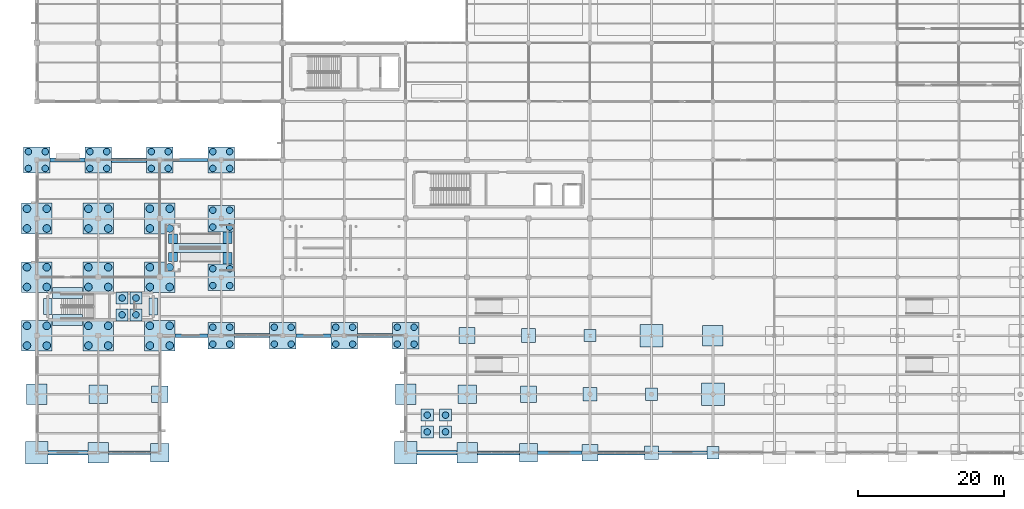
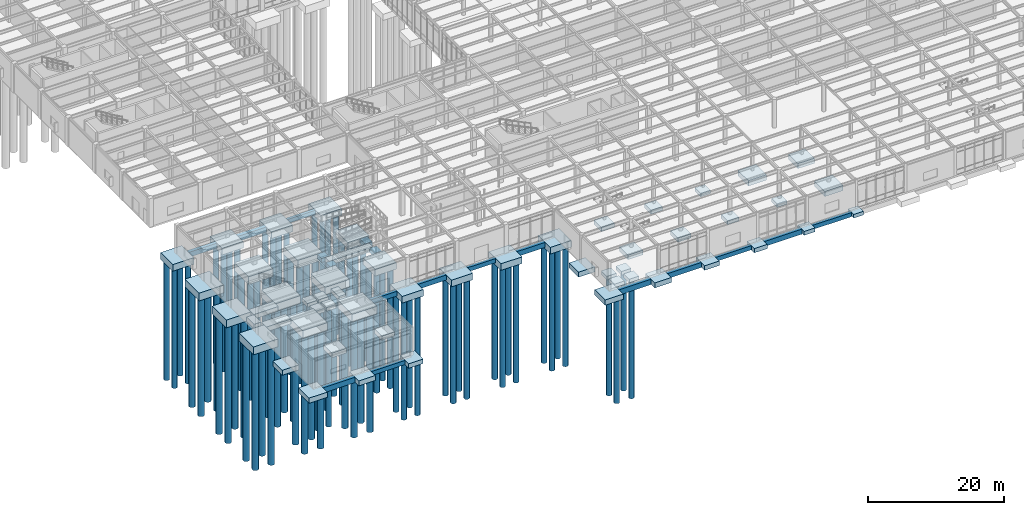
# One storey, part 1 of 138: 84 piles, 73 footings.
"""IFC4 building model written with IfcOpenShell, lengths in metres."""

from ifc_helpers import new_model, si_unit, direction, frame, origin, origin_2d, place, context, subcontext, project, spatial, rectangle, circle, extrude, material, material_profile, profile_set, type_object, element, save


model = new_model("IFC4")

# Units and contexts
model_context = context("Model", 3, precision=1e-05, world=origin(), true_north=direction((0.0, 1.0)))
body_context = subcontext(model_context, "Body", "Model", "MODEL_VIEW")
ifc_project = project(units=[si_unit("LENGTHUNIT", "METRE"), si_unit("AREAUNIT", "SQUARE_METRE"), si_unit("VOLUMEUNIT", "CUBIC_METRE"), si_unit("PLANEANGLEUNIT", "RADIAN"), si_unit("MASSUNIT", "GRAM", prefix="KILO")], contexts=[model_context])

# Site, building, storey
site_placement = place(None, origin())
site = spatial("IfcSite", under=ifc_project, at=site_placement, CompositionType="ELEMENT")
building_placement = place(site_placement, origin())
building = spatial("IfcBuilding", under=site, at=building_placement, Name="Kranzveld Transit Interchange", CompositionType="ELEMENT")
storey_placement = place(building_placement, origin())
storey = spatial("IfcBuildingStorey", under=building, at=storey_placement, Name="L00", CompositionType="ELEMENT", Elevation=0.0)

# Footings
ifc_material_1 = material(Name="Concrete C40/50", Category="concrete")
ifc_material_profile_1 = material_profile(ifc_material_1, rectangle(XDim=0.449951171875, YDim=0.75, at=origin_2d()), Name="RC 450x750")
ifc_profile_set_1 = profile_set([ifc_material_profile_1], Name="Concrete C40/50")
footing_type_1 = type_object("IfcFootingType", Name="Footing Beam 450x750 C40/50", PredefinedType="FOOTING_BEAM", material=ifc_profile_set_1)
footing_1_placement = place(storey_placement, frame((9.800048828125, 0.0, -0.794921875), z_axis=(1.0, 0.0, 0.0), x_axis=(0.0, 1.0, 0.0)))
element("IfcFooting", 1, at=footing_1_placement, inside=storey, type_object=footing_type_1, Name="Ground Tie Beam 02-03/A", PredefinedType="FOOTING_BEAM", context=body_context, shape_type="SweptSolid", body=[
    extrude(rectangle(XDim=0.449951171875, YDim=0.75, at=origin_2d()), origin(), (0.0, 0.0, 1.0), 5.75),
])
footing_2_placement = place(storey_placement, frame((18.60009765625, 40.0, -0.794921875), z_axis=(1.0, 0.0, 0.0), x_axis=(0.0, 1.0, 0.0)))
element("IfcFooting", 2, at=footing_2_placement, inside=storey, type_object=footing_type_1, Name="Ground Tie Beam 03-04/F", PredefinedType="FOOTING_BEAM", context=body_context, shape_type="SweptSolid", body=[
    extrude(rectangle(XDim=0.449951171875, YDim=0.75, at=origin_2d()), origin(), (0.0, 0.0, 1.0), 4.7998046875),
])
footing_3_placement = place(storey_placement, frame((35.39990234375, 16.0, -0.794921875), z_axis=(1.0, 0.0, 0.0), x_axis=(0.0, 1.0, 0.0)))
element("IfcFooting", 3, at=footing_3_placement, inside=storey, type_object=footing_type_1, Name="Ground Tie Beam 05-06/C", PredefinedType="FOOTING_BEAM", context=body_context, shape_type="SweptSolid", body=[
    extrude(rectangle(XDim=0.449951171875, YDim=0.75, at=origin_2d()), origin(), (0.0, 0.0, 1.0), 4.800048828125),
])
footing_4_placement = place(storey_placement, frame((68.449951171875, 0.0, -0.794921875), z_axis=(1.0, 0.0, 0.0), x_axis=(0.0, 1.0, 0.0)))
element("IfcFooting", 4, at=footing_4_placement, inside=storey, type_object=footing_type_1, Name="Ground Tie Beam 09-10/A", PredefinedType="FOOTING_BEAM", context=body_context, shape_type="SweptSolid", body=[
    extrude(rectangle(XDim=0.449951171875, YDim=0.75, at=origin_2d()), origin(), (0.0, 0.0, 1.0), 6.050048828125),
])
footing_5_placement = place(storey_placement, frame((84.949951171875, 0.0, -0.794921875), z_axis=(1.0, 0.0, 0.0), x_axis=(0.0, 1.0, 0.0)))
element("IfcFooting", 5, at=footing_5_placement, inside=storey, type_object=footing_type_1, Name="Ground Tie Beam 11-12/A", PredefinedType="FOOTING_BEAM", context=body_context, shape_type="SweptSolid", body=[
    extrude(rectangle(XDim=0.449951171875, YDim=0.75, at=origin_2d()), origin(), (0.0, 0.0, 1.0), 6.625),
])
ifc_material_2 = material(Name="Concrete C40/50", Category="concrete")
ifc_material_profile_2 = material_profile(ifc_material_2, rectangle(XDim=0.5, YDim=0.85009765625, at=origin_2d()), Name="RC 500x850")
ifc_profile_set_2 = profile_set([ifc_material_profile_2], Name="Concrete C40/50")
footing_type_2 = type_object("IfcFootingType", Name="Footing Beam 500x850 C40/50", PredefinedType="FOOTING_BEAM", material=ifc_profile_set_2)
footing_6_placement = place(storey_placement, frame((18.89990234375, 16.0, -0.844970703125), z_axis=(1.0, 0.0, 0.0), x_axis=(0.0, 1.0, 0.0)))
element("IfcFooting", 6, at=footing_6_placement, inside=storey, type_object=footing_type_2, Name="Ground Tie Beam 03-04/C", PredefinedType="FOOTING_BEAM", context=body_context, shape_type="SweptSolid", body=[
    extrude(rectangle(XDim=0.5, YDim=0.85009765625, at=origin_2d()), origin(), (0.0, 0.0, 1.0), 4.5),
])
ifc_material_3 = material(Name="Concrete C40/50", Category="concrete")
ifc_material_profile_3 = material_profile(ifc_material_3, rectangle(XDim=0.550048828125, YDim=0.89990234375, at=origin_2d()), Name="RC 550x900")
ifc_profile_set_3 = profile_set([ifc_material_profile_3], Name="Concrete C40/50")
footing_type_3 = type_object("IfcFootingType", Name="Footing Beam 550x900 C40/50", PredefinedType="FOOTING_BEAM", material=ifc_profile_set_3)
for number, where, z_axis, x_axis, name in (
    (7, (1.800048828125, 40.0, -0.8701171875), (1.0, 0.0, 0.0), (0.0, 1.0, 0.0), "Ground Tie Beam 01-02/F"),
    (8, (27.0, 16.0, -0.8701171875), (1.0, 0.0, 0.0), (0.0, 1.0, 0.0), "Ground Tie Beam 04-05/C"),
    (9, (43.800048828125, 16.0, -0.8701171875), (1.0, 0.0, 0.0), (0.0, 1.0, 0.0), "Ground Tie Beam 06-07/C"),
):
    element("IfcFooting", number, at=place(storey_placement, frame(where, z_axis=z_axis, x_axis=x_axis)), inside=storey, type_object=footing_type_3, Name=name, PredefinedType="FOOTING_BEAM", context=body_context, shape_type="SweptSolid", body=[
        extrude(rectangle(XDim=0.550048828125, YDim=0.89990234375, at=origin_2d()), origin(), (0.0, 0.0, 1.0), 4.800048828125),
    ])
footing_7_placement = place(storey_placement, frame((60.199951171875, 0.0, -0.8701171875), z_axis=(1.0, 0.0, 0.0), x_axis=(0.0, 1.0, 0.0)))
element("IfcFooting", 10, at=footing_7_placement, inside=storey, type_object=footing_type_3, Name="Ground Tie Beam 08-09/A", PredefinedType="FOOTING_BEAM", context=body_context, shape_type="SweptSolid", body=[
    extrude(rectangle(XDim=0.550048828125, YDim=0.89990234375, at=origin_2d()), origin(), (0.0, 0.0, 1.0), 5.75),
])
footing_8_placement = place(storey_placement, frame((76.699951171875, 0.0, -0.8701171875), z_axis=(1.0, 0.0, 0.0), x_axis=(0.0, 1.0, 0.0)))
element("IfcFooting", 11, at=footing_8_placement, inside=storey, type_object=footing_type_3, Name="Ground Tie Beam 10-11/A", PredefinedType="FOOTING_BEAM", context=body_context, shape_type="SweptSolid", body=[
    extrude(rectangle(XDim=0.550048828125, YDim=0.89990234375, at=origin_2d()), origin(), (0.0, 0.0, 1.0), 6.35009765625),
])
ifc_material_4 = material(Name="Concrete C40/50", Category="concrete")
ifc_material_profile_4 = material_profile(ifc_material_4, rectangle(XDim=0.60009765625, YDim=0.949951171875, at=origin_2d()), Name="RC 600x950")
ifc_profile_set_4 = profile_set([ifc_material_profile_4], Name="Concrete C40/50")
footing_type_4 = type_object("IfcFootingType", Name="Footing Beam 600x950 C40/50", PredefinedType="FOOTING_BEAM", material=ifc_profile_set_4)
footing_9_placement = place(storey_placement, frame((1.550048828125, 0.0, -0.89501953125), z_axis=(1.0, 0.0, 0.0), x_axis=(0.0, 1.0, 0.0)))
element("IfcFooting", 12, at=footing_9_placement, inside=storey, type_object=footing_type_4, Name="Ground Tie Beam 01-02/A", PredefinedType="FOOTING_BEAM", context=body_context, shape_type="SweptSolid", body=[
    extrude(rectangle(XDim=0.60009765625, YDim=0.949951171875, at=origin_2d()), origin(), (0.0, 0.0, 1.0), 5.449951171875),
])
footing_10_placement = place(storey_placement, frame((10.199951171875, 40.0, -0.89501953125), z_axis=(1.0, 0.0, 0.0), x_axis=(0.0, 1.0, 0.0)))
element("IfcFooting", 13, at=footing_10_placement, inside=storey, type_object=footing_type_4, Name="Ground Tie Beam 02-03/F", PredefinedType="FOOTING_BEAM", context=body_context, shape_type="SweptSolid", body=[
    extrude(rectangle(XDim=0.60009765625, YDim=0.949951171875, at=origin_2d()), origin(), (0.0, 0.0, 1.0), 4.800048828125),
])
footing_11_placement = place(storey_placement, frame((51.949951171875, 0.0, -0.89501953125), z_axis=(1.0, 0.0, 0.0), x_axis=(0.0, 1.0, 0.0)))
element("IfcFooting", 14, at=footing_11_placement, inside=storey, type_object=footing_type_4, Name="Ground Tie Beam 07-08/A", PredefinedType="FOOTING_BEAM", context=body_context, shape_type="SweptSolid", body=[
    extrude(rectangle(XDim=0.60009765625, YDim=0.949951171875, at=origin_2d()), origin(), (0.0, 0.0, 1.0), 5.449951171875),
])
ifc_material_5 = material(Name="Concrete C40/50", Category="concrete")
footing_type_5 = type_object("IfcFootingType", Name="Pad Footing 1650x1650x650 C40/50", PredefinedType="PAD_FOOTING", material=ifc_material_5)
for number, where, z_axis, x_axis, name in (
    (15, (11.64990234375, 18.85009765625, -1.669921875), (0.0, 0.0, 1.0), (1.0, 0.0, 0.0), "PIT-C7 Corner Pad Footing 1"),
    (16, (13.550048828125, 18.85009765625, -1.669921875), (0.0, 0.0, 1.0), (1.0, 0.0, 0.0), "PIT-C7 Corner Pad Footing 2"),
    (17, (11.64990234375, 21.14990234375, -1.669921875), (0.0, 0.0, 1.0), (1.0, 0.0, 0.0), "PIT-C7 Corner Pad Footing 3"),
    (18, (13.550048828125, 21.14990234375, -1.669921875), (0.0, 0.0, 1.0), (1.0, 0.0, 0.0), "PIT-C7 Corner Pad Footing 4"),
    (19, (53.35009765625, 2.85009765625, -1.669921875), (0.0, 0.0, 1.0), (1.0, 0.0, 0.0), "PIT-S1 Corner Pad Footing 1"),
    (20, (55.85009765625, 2.85009765625, -1.669921875), (0.0, 0.0, 1.0), (1.0, 0.0, 0.0), "PIT-S1 Corner Pad Footing 2"),
    (21, (53.35009765625, 5.14990234375, -1.669921875), (0.0, 0.0, 1.0), (1.0, 0.0, 0.0), "PIT-S1 Corner Pad Footing 3"),
    (22, (55.85009765625, 5.14990234375, -1.669921875), (0.0, 0.0, 1.0), (1.0, 0.0, 0.0), "PIT-S1 Corner Pad Footing 4"),
    (23, (75.60009765625, 16.0, -1.070068359375), (0.0, 0.0, 1.0), (1.0, 0.0, 0.0), "Pad Footing 10/C"),
    (24, (84.0, 8.0, -1.070068359375), (0.0, 0.0, 1.0), (1.0, 0.0, 0.0), "Pad Footing 11/B"),
    (25, (92.39990234375, 0.0, -1.070068359375), (0.0, 0.0, 1.0), (1.0, 0.0, 0.0), "Pad Footing 12/A"),
):
    element("IfcFooting", number, at=place(storey_placement, frame(where, z_axis=z_axis, x_axis=x_axis)), inside=storey, type_object=footing_type_5, Name=name, PredefinedType="PAD_FOOTING", context=body_context, shape_type="SweptSolid", body=[
        extrude(rectangle(XDim=1.64990234375, YDim=1.64990234375, at=origin_2d()), origin(), (0.0, 0.0, 1.0), 0.64990234375),
    ])
ifc_material_6 = material(Name="Concrete C40/50", Category="concrete")
footing_type_6 = type_object("IfcFootingType", Name="Pad Footing 1900x1900x700 C40/50", PredefinedType="PAD_FOOTING", material=ifc_material_6)
for number, where, z_axis, x_axis, name in (
    (26, (67.199951171875, 16.0, -1.1201171875), (0.0, 0.0, 1.0), (1.0, 0.0, 0.0), "Pad Footing 09/C"),
    (27, (75.60009765625, 8.0, -1.1201171875), (0.0, 0.0, 1.0), (1.0, 0.0, 0.0), "Pad Footing 10/B"),
    (28, (84.0, 0.0, -1.1201171875), (0.0, 0.0, 1.0), (1.0, 0.0, 0.0), "Pad Footing 11/A"),
):
    element("IfcFooting", number, at=place(storey_placement, frame(where, z_axis=z_axis, x_axis=x_axis)), inside=storey, type_object=footing_type_6, Name=name, PredefinedType="PAD_FOOTING", context=body_context, shape_type="SweptSolid", body=[
        extrude(rectangle(XDim=1.89990234375, YDim=1.89990234375, at=origin_2d()), origin(), (0.0, 0.0, 1.0), 0.699951171875),
    ])
ifc_material_7 = material(Name="Concrete C40/50", Category="concrete")
footing_type_7 = type_object("IfcFootingType", Name="Pad Footing 2200x2200x760 C40/50", PredefinedType="PAD_FOOTING", material=ifc_material_7)
for number, where, z_axis, x_axis, name in (
    (29, (16.800048828125, 8.0, -1.18017578125), (0.0, 0.0, 1.0), (1.0, 0.0, 0.0), "Pad Footing 03/B"),
    (30, (58.800048828125, 16.0, -1.18017578125), (0.0, 0.0, 1.0), (1.0, 0.0, 0.0), "Pad Footing 08/C"),
    (31, (67.199951171875, 8.0, -1.18017578125), (0.0, 0.0, 1.0), (1.0, 0.0, 0.0), "Pad Footing 09/B"),
    (32, (75.60009765625, 0.0, -1.18017578125), (0.0, 0.0, 1.0), (1.0, 0.0, 0.0), "Pad Footing 10/A"),
):
    element("IfcFooting", number, at=place(storey_placement, frame(where, z_axis=z_axis, x_axis=x_axis)), inside=storey, type_object=footing_type_7, Name=name, PredefinedType="PAD_FOOTING", context=body_context, shape_type="SweptSolid", body=[
        extrude(rectangle(XDim=2.199951171875, YDim=2.199951171875, at=origin_2d()), origin(), (0.0, 0.0, 1.0), 0.760009765625),
    ])
ifc_material_8 = material(Name="Concrete C40/50", Category="concrete")
footing_type_8 = type_object("IfcFootingType", Name="Pad Footing 2500x2500x820 C40/50", PredefinedType="PAD_FOOTING", material=ifc_material_8)
for number, where, z_axis, x_axis, name in (
    (33, (8.39990234375, 8.0, -1.240234375), (0.0, 0.0, 1.0), (1.0, 0.0, 0.0), "Pad Footing 02/B"),
    (34, (16.800048828125, 0.0, -1.240234375), (0.0, 0.0, 1.0), (1.0, 0.0, 0.0), "Pad Footing 03/A"),
    (35, (58.800048828125, 8.0, -1.240234375), (0.0, 0.0, 1.0), (1.0, 0.0, 0.0), "Pad Footing 08/B"),
    (36, (67.199951171875, 0.0, -1.240234375), (0.0, 0.0, 1.0), (1.0, 0.0, 0.0), "Pad Footing 09/A"),
):
    element("IfcFooting", number, at=place(storey_placement, frame(where, z_axis=z_axis, x_axis=x_axis)), inside=storey, type_object=footing_type_8, Name=name, PredefinedType="PAD_FOOTING", context=body_context, shape_type="SweptSolid", body=[
        extrude(rectangle(XDim=2.5, YDim=2.5, at=origin_2d()), origin(), (0.0, 0.0, 1.0), 0.820068359375),
    ])
ifc_material_9 = material(Name="Concrete C40/50", Category="concrete")
footing_type_9 = type_object("IfcFootingType", Name="Pad Footing 2800x2800x900 C40/50", PredefinedType="PAD_FOOTING", material=ifc_material_9)
for number, where, z_axis, x_axis, name in (
    (37, (0.0, 8.0, -1.320068359375), (0.0, 0.0, 1.0), (1.0, 0.0, 0.0), "Pad Footing 01/B"),
    (38, (8.39990234375, 0.0, -1.320068359375), (0.0, 0.0, 1.0), (1.0, 0.0, 0.0), "Pad Footing 02/A"),
    (39, (50.39990234375, 8.0, -1.320068359375), (0.0, 0.0, 1.0), (1.0, 0.0, 0.0), "Pad Footing 07/B"),
    (40, (58.800048828125, 0.0, -1.320068359375), (0.0, 0.0, 1.0), (1.0, 0.0, 0.0), "Pad Footing 08/A"),
    (41, (92.39990234375, 16.0, -1.320068359375), (0.0, 0.0, 1.0), (1.0, 0.0, 0.0), "Pad Footing 12/C"),
):
    element("IfcFooting", number, at=place(storey_placement, frame(where, z_axis=z_axis, x_axis=x_axis)), inside=storey, type_object=footing_type_9, Name=name, PredefinedType="PAD_FOOTING", context=body_context, shape_type="SweptSolid", body=[
        extrude(rectangle(XDim=2.800048828125, YDim=2.800048828125, at=origin_2d()), origin(), (0.0, 0.0, 1.0), 0.89990234375),
    ])
ifc_material_10 = material(Name="Concrete C40/50", Category="concrete")
footing_type_10 = type_object("IfcFootingType", Name="Pad Footing 3100x3100x950 C40/50", PredefinedType="PAD_FOOTING", material=ifc_material_10)
for number, where, z_axis, x_axis, name in (
    (42, (0.0, 0.0, -1.3701171875), (0.0, 0.0, 1.0), (1.0, 0.0, 0.0), "Pad Footing 01/A"),
    (43, (50.39990234375, 0.0, -1.3701171875), (0.0, 0.0, 1.0), (1.0, 0.0, 0.0), "Pad Footing 07/A"),
    (44, (84.0, 16.0, -1.3701171875), (0.0, 0.0, 1.0), (1.0, 0.0, 0.0), "Pad Footing 11/C"),
    (45, (92.39990234375, 8.0, -1.3701171875), (0.0, 0.0, 1.0), (1.0, 0.0, 0.0), "Pad Footing 12/B"),
):
    element("IfcFooting", number, at=place(storey_placement, frame(where, z_axis=z_axis, x_axis=x_axis)), inside=storey, type_object=footing_type_10, Name=name, PredefinedType="PAD_FOOTING", context=body_context, shape_type="SweptSolid", body=[
        extrude(rectangle(XDim=3.10009765625, YDim=3.10009765625, at=origin_2d()), origin(), (0.0, 0.0, 1.0), 0.949951171875),
    ])

# Piles
ifc_material_11 = material(Name="Concrete C40/50", Category="concrete")
ifc_material_profile_5 = material_profile(ifc_material_11, circle(Radius=0.52490234375, at=origin_2d()), Name="BORED PILE 1050")
ifc_profile_set_5 = profile_set([ifc_material_profile_5], Name="Concrete C40/50")
pile_type_1 = type_object("IfcPileType", Name="Pile Bored 1050 C40/50", PredefinedType="BORED", material=ifc_profile_set_5)
for number, where, z_axis, x_axis, name in (
    (46, (-1.35009765625, 14.64990234375, -1.719970703125), (0.0, 0.0, -1.0), (1.0, 0.0, 0.0), "Bored Pile 01/C-P1"),
    (47, (1.35009765625, 14.64990234375, -1.719970703125), (0.0, 0.0, -1.0), (1.0, 0.0, 0.0), "Bored Pile 01/C-P2"),
    (48, (-1.35009765625, 17.35009765625, -1.719970703125), (0.0, 0.0, -1.0), (1.0, 0.0, 0.0), "Bored Pile 01/C-P3"),
    (49, (1.35009765625, 17.35009765625, -1.719970703125), (0.0, 0.0, -1.0), (1.0, 0.0, 0.0), "Bored Pile 01/C-P4"),
    (50, (-1.35009765625, 22.64990234375, -1.719970703125), (0.0, 0.0, -1.0), (1.0, 0.0, 0.0), "Bored Pile 01/D-P1"),
    (51, (1.35009765625, 22.64990234375, -1.719970703125), (0.0, 0.0, -1.0), (1.0, 0.0, 0.0), "Bored Pile 01/D-P2"),
    (52, (-1.35009765625, 25.35009765625, -1.719970703125), (0.0, 0.0, -1.0), (1.0, 0.0, 0.0), "Bored Pile 01/D-P3"),
    (53, (1.35009765625, 25.35009765625, -1.719970703125), (0.0, 0.0, -1.0), (1.0, 0.0, 0.0), "Bored Pile 01/D-P4"),
    (54, (-1.35009765625, 30.64990234375, -1.719970703125), (0.0, 0.0, -1.0), (1.0, 0.0, 0.0), "Bored Pile 01/E-P1"),
    (55, (1.35009765625, 30.64990234375, -1.719970703125), (0.0, 0.0, -1.0), (1.0, 0.0, 0.0), "Bored Pile 01/E-P2"),
    (56, (-1.35009765625, 33.35009765625, -1.719970703125), (0.0, 0.0, -1.0), (1.0, 0.0, 0.0), "Bored Pile 01/E-P3"),
    (57, (1.35009765625, 33.35009765625, -1.719970703125), (0.0, 0.0, -1.0), (1.0, 0.0, 0.0), "Bored Pile 01/E-P4"),
    (58, (7.050048828125, 14.64990234375, -1.719970703125), (0.0, 0.0, -1.0), (1.0, 0.0, 0.0), "Bored Pile 02/C-P1"),
    (59, (9.75, 14.64990234375, -1.719970703125), (0.0, 0.0, -1.0), (1.0, 0.0, 0.0), "Bored Pile 02/C-P2"),
    (60, (7.050048828125, 17.35009765625, -1.719970703125), (0.0, 0.0, -1.0), (1.0, 0.0, 0.0), "Bored Pile 02/C-P3"),
    (61, (9.75, 17.35009765625, -1.719970703125), (0.0, 0.0, -1.0), (1.0, 0.0, 0.0), "Bored Pile 02/C-P4"),
    (62, (7.050048828125, 22.64990234375, -1.719970703125), (0.0, 0.0, -1.0), (1.0, 0.0, 0.0), "Bored Pile 02/D-P1"),
    (63, (9.75, 22.64990234375, -1.719970703125), (0.0, 0.0, -1.0), (1.0, 0.0, 0.0), "Bored Pile 02/D-P2"),
    (64, (7.050048828125, 25.35009765625, -1.719970703125), (0.0, 0.0, -1.0), (1.0, 0.0, 0.0), "Bored Pile 02/D-P3"),
    (65, (9.75, 25.35009765625, -1.719970703125), (0.0, 0.0, -1.0), (1.0, 0.0, 0.0), "Bored Pile 02/D-P4"),
    (66, (7.050048828125, 30.64990234375, -1.719970703125), (0.0, 0.0, -1.0), (1.0, 0.0, 0.0), "Bored Pile 02/E-P1"),
    (67, (9.75, 30.64990234375, -1.719970703125), (0.0, 0.0, -1.0), (1.0, 0.0, 0.0), "Bored Pile 02/E-P2"),
    (68, (7.050048828125, 33.35009765625, -1.719970703125), (0.0, 0.0, -1.0), (1.0, 0.0, 0.0), "Bored Pile 02/E-P3"),
    (69, (9.75, 33.35009765625, -1.719970703125), (0.0, 0.0, -1.0), (1.0, 0.0, 0.0), "Bored Pile 02/E-P4"),
    (70, (15.449951171875, 14.64990234375, -1.719970703125), (0.0, 0.0, -1.0), (1.0, 0.0, 0.0), "Bored Pile 03/C-P1"),
    (71, (18.14990234375, 14.64990234375, -1.719970703125), (0.0, 0.0, -1.0), (1.0, 0.0, 0.0), "Bored Pile 03/C-P2"),
    (72, (15.449951171875, 17.35009765625, -1.719970703125), (0.0, 0.0, -1.0), (1.0, 0.0, 0.0), "Bored Pile 03/C-P3"),
    (73, (18.14990234375, 17.35009765625, -1.719970703125), (0.0, 0.0, -1.0), (1.0, 0.0, 0.0), "Bored Pile 03/C-P4"),
    (74, (15.449951171875, 22.64990234375, -1.719970703125), (0.0, 0.0, -1.0), (1.0, 0.0, 0.0), "Bored Pile 03/D-P1"),
    (75, (18.14990234375, 22.64990234375, -1.719970703125), (0.0, 0.0, -1.0), (1.0, 0.0, 0.0), "Bored Pile 03/D-P2"),
    (76, (15.449951171875, 25.35009765625, -1.719970703125), (0.0, 0.0, -1.0), (1.0, 0.0, 0.0), "Bored Pile 03/D-P3"),
    (77, (18.14990234375, 25.35009765625, -1.719970703125), (0.0, 0.0, -1.0), (1.0, 0.0, 0.0), "Bored Pile 03/D-P4"),
    (78, (15.449951171875, 30.64990234375, -1.719970703125), (0.0, 0.0, -1.0), (1.0, 0.0, 0.0), "Bored Pile 03/E-P1"),
    (79, (18.14990234375, 30.64990234375, -1.719970703125), (0.0, 0.0, -1.0), (1.0, 0.0, 0.0), "Bored Pile 03/E-P2"),
    (80, (15.449951171875, 33.35009765625, -1.719970703125), (0.0, 0.0, -1.0), (1.0, 0.0, 0.0), "Bored Pile 03/E-P3"),
    (81, (18.14990234375, 33.35009765625, -1.719970703125), (0.0, 0.0, -1.0), (1.0, 0.0, 0.0), "Bored Pile 03/E-P4"),
):
    element("IfcPile", number, at=place(storey_placement, frame(where, z_axis=z_axis, x_axis=x_axis)), inside=storey, type_object=pile_type_1, Name=name, PredefinedType="BORED", context=body_context, shape_type="SweptSolid", body=[
        extrude(circle(Radius=0.52490234375, at=origin_2d()), origin(), (0.0, 0.0, 1.0), 21.280029296875),
    ])
ifc_material_12 = material(Name="Concrete C40/50", Category="concrete")
ifc_material_profile_6 = material_profile(ifc_material_12, circle(Radius=0.449951171875, at=origin_2d()), Name="BORED PILE 900")
ifc_profile_set_6 = profile_set([ifc_material_profile_6], Name="Concrete C40/50")
pile_type_2 = type_object("IfcPileType", Name="Pile Bored 900 C40/50", PredefinedType="BORED", material=ifc_profile_set_6)
for number, where, z_axis, x_axis, name in (
    (82, (11.64990234375, 18.85009765625, -1.570068359375), (0.0, 0.0, -1.0), (1.0, 0.0, 0.0), "Bored Pile PIT-C7-P1"),
    (83, (13.550048828125, 18.85009765625, -1.570068359375), (0.0, 0.0, -1.0), (1.0, 0.0, 0.0), "Bored Pile PIT-C7-P2"),
    (84, (11.64990234375, 21.14990234375, -1.570068359375), (0.0, 0.0, -1.0), (1.0, 0.0, 0.0), "Bored Pile PIT-C7-P3"),
    (85, (13.550048828125, 21.14990234375, -1.570068359375), (0.0, 0.0, -1.0), (1.0, 0.0, 0.0), "Bored Pile PIT-C7-P4"),
    (86, (53.35009765625, 2.85009765625, -1.570068359375), (0.0, 0.0, -1.0), (1.0, 0.0, 0.0), "Bored Pile PIT-S1-P1"),
    (87, (55.85009765625, 2.85009765625, -1.570068359375), (0.0, 0.0, -1.0), (1.0, 0.0, 0.0), "Bored Pile PIT-S1-P2"),
    (88, (53.35009765625, 5.14990234375, -1.570068359375), (0.0, 0.0, -1.0), (1.0, 0.0, 0.0), "Bored Pile PIT-S1-P3"),
    (89, (55.85009765625, 5.14990234375, -1.570068359375), (0.0, 0.0, -1.0), (1.0, 0.0, 0.0), "Bored Pile PIT-S1-P4"),
):
    element("IfcPile", number, at=place(storey_placement, frame(where, z_axis=z_axis, x_axis=x_axis)), inside=storey, type_object=pile_type_2, Name=name, PredefinedType="BORED", context=body_context, shape_type="SweptSolid", body=[
        extrude(circle(Radius=0.449951171875, at=origin_2d()), origin(), (0.0, 0.0, 1.0), 21.429931640625),
    ])
for number, where, z_axis, x_axis, name in (
    (90, (-1.14990234375, 38.85009765625, -1.52001953125), (0.0, 0.0, -1.0), (1.0, 0.0, 0.0), "Bored Pile 01/F-P1"),
    (91, (1.14990234375, 38.85009765625, -1.52001953125), (0.0, 0.0, -1.0), (1.0, 0.0, 0.0), "Bored Pile 01/F-P2"),
    (92, (-1.14990234375, 41.14990234375, -1.52001953125), (0.0, 0.0, -1.0), (1.0, 0.0, 0.0), "Bored Pile 01/F-P3"),
    (93, (1.14990234375, 41.14990234375, -1.52001953125), (0.0, 0.0, -1.0), (1.0, 0.0, 0.0), "Bored Pile 01/F-P4"),
    (94, (7.25, 38.85009765625, -1.52001953125), (0.0, 0.0, -1.0), (1.0, 0.0, 0.0), "Bored Pile 02/F-P1"),
    (95, (9.550048828125, 38.85009765625, -1.52001953125), (0.0, 0.0, -1.0), (1.0, 0.0, 0.0), "Bored Pile 02/F-P2"),
    (96, (7.25, 41.14990234375, -1.52001953125), (0.0, 0.0, -1.0), (1.0, 0.0, 0.0), "Bored Pile 02/F-P3"),
    (97, (9.550048828125, 41.14990234375, -1.52001953125), (0.0, 0.0, -1.0), (1.0, 0.0, 0.0), "Bored Pile 02/F-P4"),
    (98, (15.64990234375, 38.85009765625, -1.52001953125), (0.0, 0.0, -1.0), (1.0, 0.0, 0.0), "Bored Pile 03/F-P1"),
    (99, (17.949951171875, 38.85009765625, -1.52001953125), (0.0, 0.0, -1.0), (1.0, 0.0, 0.0), "Bored Pile 03/F-P2"),
    (100, (15.64990234375, 41.14990234375, -1.52001953125), (0.0, 0.0, -1.0), (1.0, 0.0, 0.0), "Bored Pile 03/F-P3"),
    (101, (17.949951171875, 41.14990234375, -1.52001953125), (0.0, 0.0, -1.0), (1.0, 0.0, 0.0), "Bored Pile 03/F-P4"),
    (102, (24.050048828125, 14.85009765625, -1.52001953125), (0.0, 0.0, -1.0), (1.0, 0.0, 0.0), "Bored Pile 04/C-P1"),
    (103, (26.35009765625, 14.85009765625, -1.52001953125), (0.0, 0.0, -1.0), (1.0, 0.0, 0.0), "Bored Pile 04/C-P2"),
    (104, (24.050048828125, 17.14990234375, -1.52001953125), (0.0, 0.0, -1.0), (1.0, 0.0, 0.0), "Bored Pile 04/C-P3"),
    (105, (26.35009765625, 17.14990234375, -1.52001953125), (0.0, 0.0, -1.0), (1.0, 0.0, 0.0), "Bored Pile 04/C-P4"),
    (106, (24.050048828125, 22.85009765625, -1.52001953125), (0.0, 0.0, -1.0), (1.0, 0.0, 0.0), "Bored Pile 04/D-P1"),
    (107, (26.35009765625, 22.85009765625, -1.52001953125), (0.0, 0.0, -1.0), (1.0, 0.0, 0.0), "Bored Pile 04/D-P2"),
    (108, (24.050048828125, 25.14990234375, -1.52001953125), (0.0, 0.0, -1.0), (1.0, 0.0, 0.0), "Bored Pile 04/D-P3"),
    (109, (26.35009765625, 25.14990234375, -1.52001953125), (0.0, 0.0, -1.0), (1.0, 0.0, 0.0), "Bored Pile 04/D-P4"),
    (110, (24.050048828125, 30.85009765625, -1.52001953125), (0.0, 0.0, -1.0), (1.0, 0.0, 0.0), "Bored Pile 04/E-P1"),
    (111, (26.35009765625, 30.85009765625, -1.52001953125), (0.0, 0.0, -1.0), (1.0, 0.0, 0.0), "Bored Pile 04/E-P2"),
    (112, (24.050048828125, 33.14990234375, -1.52001953125), (0.0, 0.0, -1.0), (1.0, 0.0, 0.0), "Bored Pile 04/E-P3"),
    (113, (26.35009765625, 33.14990234375, -1.52001953125), (0.0, 0.0, -1.0), (1.0, 0.0, 0.0), "Bored Pile 04/E-P4"),
    (114, (24.050048828125, 38.85009765625, -1.52001953125), (0.0, 0.0, -1.0), (1.0, 0.0, 0.0), "Bored Pile 04/F-P1"),
    (115, (26.35009765625, 38.85009765625, -1.52001953125), (0.0, 0.0, -1.0), (1.0, 0.0, 0.0), "Bored Pile 04/F-P2"),
    (116, (24.050048828125, 41.14990234375, -1.52001953125), (0.0, 0.0, -1.0), (1.0, 0.0, 0.0), "Bored Pile 04/F-P3"),
    (117, (26.35009765625, 41.14990234375, -1.52001953125), (0.0, 0.0, -1.0), (1.0, 0.0, 0.0), "Bored Pile 04/F-P4"),
    (118, (32.449951171875, 14.85009765625, -1.52001953125), (0.0, 0.0, -1.0), (1.0, 0.0, 0.0), "Bored Pile 05/C-P1"),
    (119, (34.75, 14.85009765625, -1.52001953125), (0.0, 0.0, -1.0), (1.0, 0.0, 0.0), "Bored Pile 05/C-P2"),
    (120, (32.449951171875, 17.14990234375, -1.52001953125), (0.0, 0.0, -1.0), (1.0, 0.0, 0.0), "Bored Pile 05/C-P3"),
    (121, (34.75, 17.14990234375, -1.52001953125), (0.0, 0.0, -1.0), (1.0, 0.0, 0.0), "Bored Pile 05/C-P4"),
    (122, (40.85009765625, 14.85009765625, -1.52001953125), (0.0, 0.0, -1.0), (1.0, 0.0, 0.0), "Bored Pile 06/C-P1"),
    (123, (43.14990234375, 14.85009765625, -1.52001953125), (0.0, 0.0, -1.0), (1.0, 0.0, 0.0), "Bored Pile 06/C-P2"),
    (124, (40.85009765625, 17.14990234375, -1.52001953125), (0.0, 0.0, -1.0), (1.0, 0.0, 0.0), "Bored Pile 06/C-P3"),
    (125, (43.14990234375, 17.14990234375, -1.52001953125), (0.0, 0.0, -1.0), (1.0, 0.0, 0.0), "Bored Pile 06/C-P4"),
    (126, (49.25, 14.85009765625, -1.52001953125), (0.0, 0.0, -1.0), (1.0, 0.0, 0.0), "Bored Pile 07/C-P1"),
    (127, (51.550048828125, 14.85009765625, -1.52001953125), (0.0, 0.0, -1.0), (1.0, 0.0, 0.0), "Bored Pile 07/C-P2"),
    (128, (49.25, 17.14990234375, -1.52001953125), (0.0, 0.0, -1.0), (1.0, 0.0, 0.0), "Bored Pile 07/C-P3"),
    (129, (51.550048828125, 17.14990234375, -1.52001953125), (0.0, 0.0, -1.0), (1.0, 0.0, 0.0), "Bored Pile 07/C-P4"),
):
    element("IfcPile", number, at=place(storey_placement, frame(where, z_axis=z_axis, x_axis=x_axis)), inside=storey, type_object=pile_type_2, Name=name, PredefinedType="BORED", context=body_context, shape_type="SweptSolid", body=[
        extrude(circle(Radius=0.449951171875, at=origin_2d()), origin(), (0.0, 0.0, 1.0), 21.47998046875),
    ])

# Footings
ifc_material_13 = material(Name="Concrete C40/50", Category="concrete")
footing_type_11 = type_object("IfcFootingType", Name="Pile Cap 3600x3600x1200 C40/50", PredefinedType="PILE_CAP", material=ifc_material_13)
for number, where, z_axis, x_axis, name in (
    (130, (0.0, 40.0, -1.6201171875), (0.0, 0.0, 1.0), (1.0, 0.0, 0.0), "Pile Cap 01/F"),
    (131, (8.39990234375, 40.0, -1.6201171875), (0.0, 0.0, 1.0), (1.0, 0.0, 0.0), "Pile Cap 02/F"),
    (132, (16.800048828125, 40.0, -1.6201171875), (0.0, 0.0, 1.0), (1.0, 0.0, 0.0), "Pile Cap 03/F"),
    (133, (25.199951171875, 16.0, -1.6201171875), (0.0, 0.0, 1.0), (1.0, 0.0, 0.0), "Pile Cap 04/C"),
    (134, (25.199951171875, 24.0, -1.6201171875), (0.0, 0.0, 1.0), (1.0, 0.0, 0.0), "Pile Cap 04/D"),
    (135, (25.199951171875, 32.0, -1.6201171875), (0.0, 0.0, 1.0), (1.0, 0.0, 0.0), "Pile Cap 04/E"),
    (136, (25.199951171875, 40.0, -1.6201171875), (0.0, 0.0, 1.0), (1.0, 0.0, 0.0), "Pile Cap 04/F"),
    (137, (33.60009765625, 16.0, -1.6201171875), (0.0, 0.0, 1.0), (1.0, 0.0, 0.0), "Pile Cap 05/C"),
    (138, (42.0, 16.0, -1.6201171875), (0.0, 0.0, 1.0), (1.0, 0.0, 0.0), "Pile Cap 06/C"),
    (139, (50.39990234375, 16.0, -1.6201171875), (0.0, 0.0, 1.0), (1.0, 0.0, 0.0), "Pile Cap 07/C"),
):
    element("IfcFooting", number, at=place(storey_placement, frame(where, z_axis=z_axis, x_axis=x_axis)), inside=storey, type_object=footing_type_11, Name=name, PredefinedType="PILE_CAP", context=body_context, shape_type="SweptSolid", body=[
        extrude(rectangle(XDim=3.60009765625, YDim=3.60009765625, at=origin_2d()), origin(), (0.0, 0.0, 1.0), 1.199951171875),
    ])
ifc_material_14 = material(Name="Concrete C40/50", Category="concrete")
footing_type_12 = type_object("IfcFootingType", Name="Pile Cap 4200x4200x1400 C40/50", PredefinedType="PILE_CAP", material=ifc_material_14)
for number, where, z_axis, x_axis, name in (
    (140, (0.0, 16.0, -1.820068359375), (0.0, 0.0, 1.0), (1.0, 0.0, 0.0), "Pile Cap 01/C"),
    (141, (0.0, 24.0, -1.820068359375), (0.0, 0.0, 1.0), (1.0, 0.0, 0.0), "Pile Cap 01/D"),
    (142, (0.0, 32.0, -1.820068359375), (0.0, 0.0, 1.0), (1.0, 0.0, 0.0), "Pile Cap 01/E"),
    (143, (8.39990234375, 16.0, -1.820068359375), (0.0, 0.0, 1.0), (1.0, 0.0, 0.0), "Pile Cap 02/C"),
    (144, (8.39990234375, 24.0, -1.820068359375), (0.0, 0.0, 1.0), (1.0, 0.0, 0.0), "Pile Cap 02/D"),
    (145, (8.39990234375, 32.0, -1.820068359375), (0.0, 0.0, 1.0), (1.0, 0.0, 0.0), "Pile Cap 02/E"),
    (146, (16.800048828125, 16.0, -1.820068359375), (0.0, 0.0, 1.0), (1.0, 0.0, 0.0), "Pile Cap 03/C"),
    (147, (16.800048828125, 24.0, -1.820068359375), (0.0, 0.0, 1.0), (1.0, 0.0, 0.0), "Pile Cap 03/D"),
    (148, (16.800048828125, 32.0, -1.820068359375), (0.0, 0.0, 1.0), (1.0, 0.0, 0.0), "Pile Cap 03/E"),
):
    element("IfcFooting", number, at=place(storey_placement, frame(where, z_axis=z_axis, x_axis=x_axis)), inside=storey, type_object=footing_type_12, Name=name, PredefinedType="PILE_CAP", context=body_context, shape_type="SweptSolid", body=[
        extrude(rectangle(XDim=4.199951171875, YDim=4.199951171875, at=origin_2d()), origin(), (0.0, 0.0, 1.0), 1.39990234375),
    ])
ifc_material_15 = material(Name="Concrete C40/50", Category="concrete")
ifc_material_profile_7 = material_profile(ifc_material_15, rectangle(XDim=1.199951171875, YDim=0.75, at=origin_2d()), Name="SF 1200x750")
ifc_profile_set_7 = profile_set([ifc_material_profile_7], Name="Concrete C40/50")
footing_type_13 = type_object("IfcFootingType", Name="Strip Footing 1200x750 C40/50", PredefinedType="STRIP_FOOTING", material=ifc_profile_set_7)
footing_12_placement = place(storey_placement, frame((1.5, 18.9150390625, -0.794921875), z_axis=(0.0, 1.0, 0.0), x_axis=(-1.0, 0.0, 0.0)))
element("IfcFooting", 149, at=footing_12_placement, inside=storey, type_object=footing_type_13, Name="Core C7 Strip Footing W", PredefinedType="STRIP_FOOTING", context=body_context, shape_type="SweptSolid", body=[
    extrude(rectangle(XDim=1.199951171875, YDim=0.75, at=origin_2d()), origin(), (0.0, 0.0, 1.0), 2.169921875),
])
footing_13_placement = place(storey_placement, frame((15.89990234375, 18.840087890625, -0.794921875), z_axis=(0.0, 1.0, 0.0), x_axis=(-1.0, 0.0, 0.0)))
element("IfcFooting", 150, at=footing_13_placement, inside=storey, type_object=footing_type_13, Name="Core C7 Strip Footing E", PredefinedType="STRIP_FOOTING", context=body_context, shape_type="SweptSolid", body=[
    extrude(rectangle(XDim=1.199951171875, YDim=0.75, at=origin_2d()), origin(), (0.0, 0.0, 1.0), 2.31982421875),
])
footing_14_placement = place(storey_placement, frame((18.60009765625, 28.0, -0.794921875), z_axis=(1.0, 0.0, 0.0), x_axis=(0.0, 1.0, 0.0)))
element("IfcFooting", 151, at=footing_14_placement, inside=storey, type_object=footing_type_13, Name="RMP-1 Spine Strip Footing", PredefinedType="STRIP_FOOTING", context=body_context, shape_type="SweptSolid", body=[
    extrude(rectangle(XDim=1.199951171875, YDim=0.75, at=origin_2d()), origin(), (0.0, 0.0, 1.0), 7.43994140625),
])
for number, where, z_axis, x_axis, name in (
    (152, (18.60009765625, 26.125, -0.794921875), (0.0, 1.0, 0.0), (-1.0, 0.0, 0.0), "RMP-1 Landing Strip Footing W"),
    (153, (18.60009765625, 28.625, -0.794921875), (0.0, 1.0, 0.0), (-1.0, 0.0, 0.0), "RMP-1 Landing Strip Footing W"),
):
    element("IfcFooting", number, at=place(storey_placement, frame(where, z_axis=z_axis, x_axis=x_axis)), inside=storey, type_object=footing_type_13, Name=name, PredefinedType="STRIP_FOOTING", context=body_context, shape_type="SweptSolid", body=[
        extrude(rectangle(XDim=1.199951171875, YDim=0.75, at=origin_2d()), origin(), (0.0, 0.0, 1.0), 1.25),
    ])
for number, where, z_axis, x_axis, name in (
    (154, (26.0400390625, 25.824951171875, -0.794921875), (0.0, 1.0, 0.0), (-1.0, 0.0, 0.0), "RMP-1 Landing Strip Footing E"),
    (155, (26.0400390625, 28.625, -0.794921875), (0.0, 1.0, 0.0), (-1.0, 0.0, 0.0), "RMP-1 Landing Strip Footing E"),
):
    element("IfcFooting", number, at=place(storey_placement, frame(where, z_axis=z_axis, x_axis=x_axis)), inside=storey, type_object=footing_type_13, Name=name, PredefinedType="STRIP_FOOTING", context=body_context, shape_type="SweptSolid", body=[
        extrude(rectangle(XDim=1.199951171875, YDim=0.75, at=origin_2d()), origin(), (0.0, 0.0, 1.0), 1.550048828125),
    ])
ifc_material_16 = material(Name="Concrete C40/50", Category="concrete")
ifc_material_profile_8 = material_profile(ifc_material_16, rectangle(XDim=1.5, YDim=0.85009765625, at=origin_2d()), Name="SF 1500x850")
ifc_profile_set_8 = profile_set([ifc_material_profile_8], Name="Concrete C40/50")
footing_type_14 = type_object("IfcFootingType", Name="Strip Footing 1500x850 C40/50", PredefinedType="STRIP_FOOTING", material=ifc_profile_set_8)
for number, where, z_axis, x_axis, name in (
    (156, (2.125, 18.139892578125, -0.844970703125), (1.0, 0.0, 0.0), (0.0, 1.0, 0.0), "Core C7 Strip Footing S"),
    (157, (2.125, 21.860107421875, -0.844970703125), (1.0, 0.0, 0.0), (0.0, 1.0, 0.0), "Core C7 Strip Footing N"),
):
    element("IfcFooting", number, at=place(storey_placement, frame(where, z_axis=z_axis, x_axis=x_axis)), inside=storey, type_object=footing_type_14, Name=name, PredefinedType="STRIP_FOOTING", context=body_context, shape_type="SweptSolid", body=[
        extrude(rectangle(XDim=1.5, YDim=0.85009765625, at=origin_2d()), origin(), (0.0, 0.0, 1.0), 4.14990234375),
    ])

save(model, "model.ifc")
